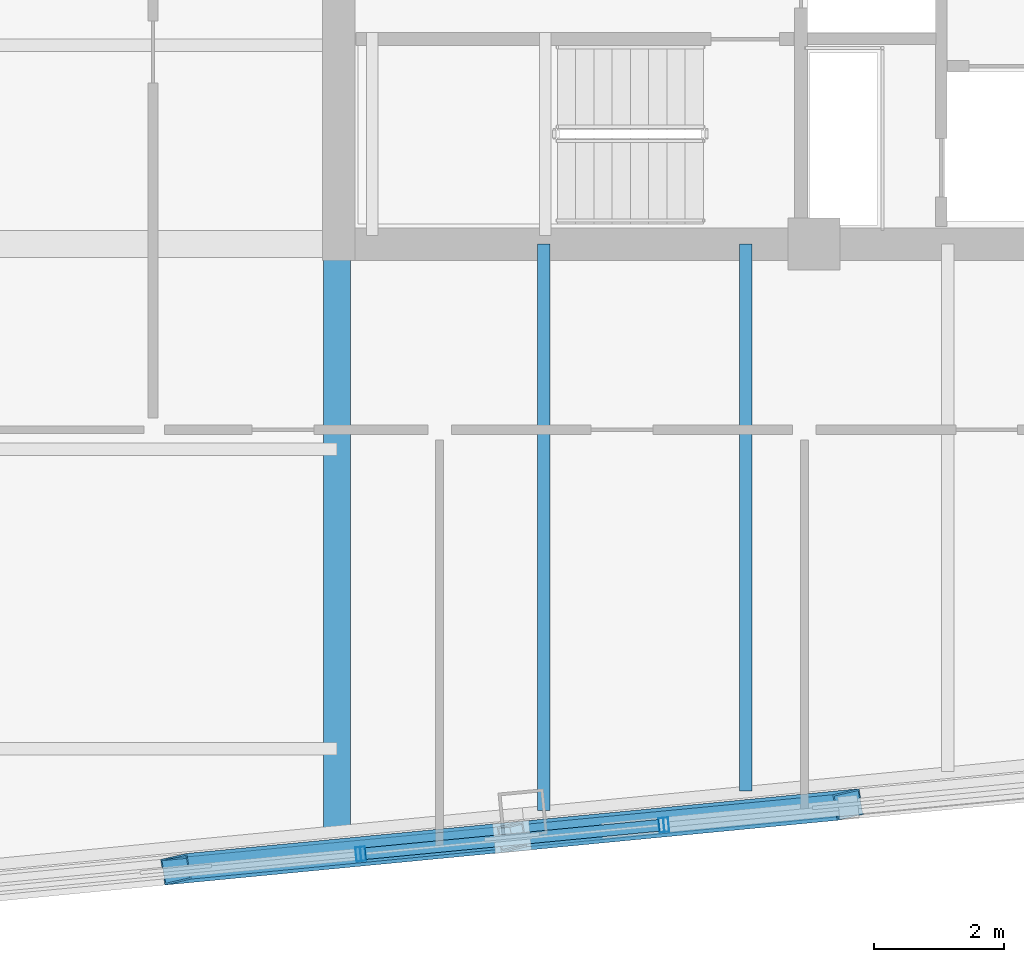
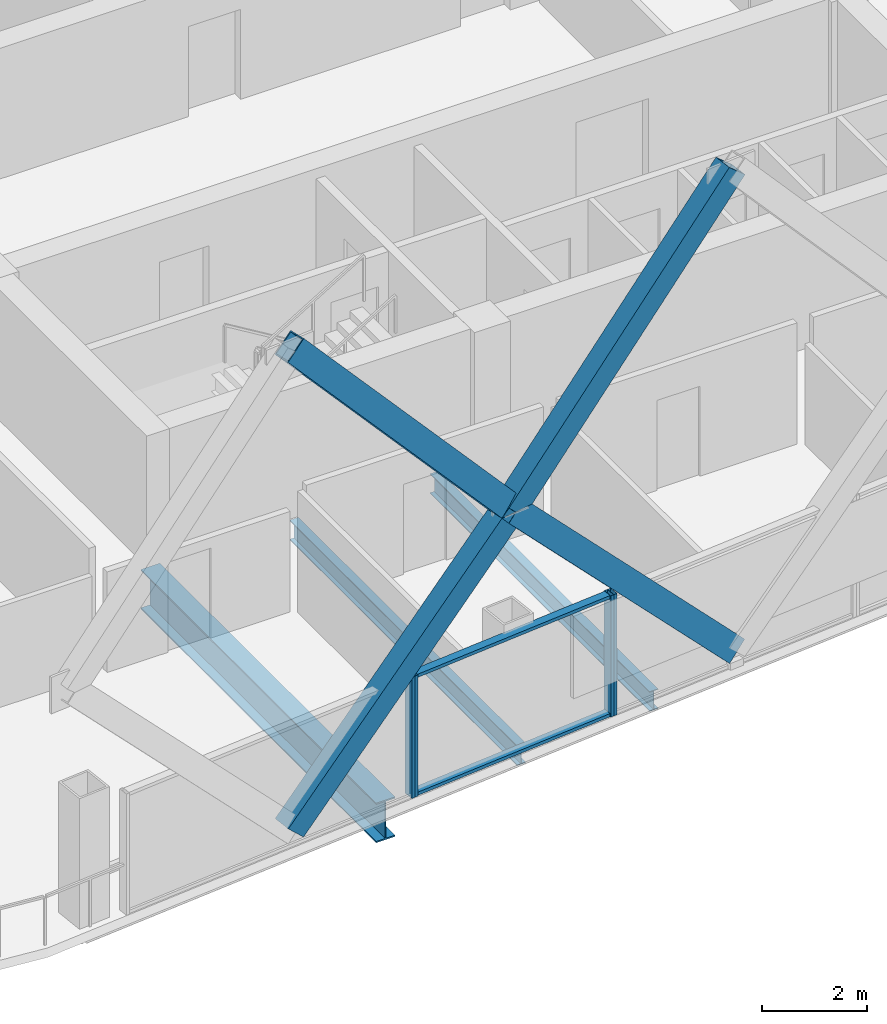
# One storey, part 5 of 34: 10 members, 3 beams, 3 elements without a shape of their own.
"""IFC4 building model written with IfcOpenShell, lengths in metres."""

import ifcopenshell
import ifcopenshell.guid

model = None  # the IFC model being written
_history = None  # IfcOwnerHistory: only IFC2X3 demands one
_inside = {}  # id of a spatial element -> (the spatial element, [elements in it])
_under = {}  # id of a project, library or spatial element -> (it, [spatial elements below it])
_declared = {}  # id of a project -> (the project, [libraries it declares])
_typed = {}  # id of a type object -> (the type object, [elements of that type])
_made_of = {}  # id of a material, layer set ... -> (it, [elements and type objects made of it])


def new_model(schema):
    """Start an empty IFC model of exactly this schema.

    Asked for "IFC4X3", IfcOpenShell would pick the latest addendum, in which some entities
    have other attributes; the version numbers below select the first issue.
    IFC2X3 requires an IfcOwnerHistory on every rooted entity: one is made here for all.
    """
    global model, _history
    if schema == "IFC4X3":
        model = ifcopenshell.file(schema_version=(4, 3, 0, 0))
    else:
        model = ifcopenshell.file(schema=schema)
    _inside.clear()
    _under.clear()
    _declared.clear()
    _typed.clear()
    _made_of.clear()
    _history = None
    if model.schema == "IFC2X3":
        org = make("IfcOrganization", Name="unknown")
        user = make(
            "IfcPersonAndOrganization",
            ThePerson=make("IfcPerson", FamilyName="unknown"),
            TheOrganization=org,
        )
        app = make(
            "IfcApplication",
            ApplicationDeveloper=org,
            Version="unknown",
            ApplicationFullName="unknown",
            ApplicationIdentifier="unknown",
        )
        _history = make(
            "IfcOwnerHistory",
            OwningUser=user,
            OwningApplication=app,
            ChangeAction="ADDED",
            CreationDate=0,
        )
    return model


def make(cls, **values):
    """One entity of the class cls with the attributes given. An attribute that is None is left unset."""
    return model.create_entity(
        cls, **{name: value for name, value in values.items() if value is not None}
    )


def rooted(cls, **values):
    """An entity with a GlobalId (a new one), such as an element, a storey or a relation."""
    return make(cls, GlobalId=ifcopenshell.guid.new(), OwnerHistory=_history, **values)


def si_unit(unit_type, name, prefix=None):
    """IfcSIUnit, for example si_unit("LENGTHUNIT", "METRE", prefix="MILLI")."""
    return make("IfcSIUnit", UnitType=unit_type, Prefix=prefix, Name=name)


def assignment(units):
    """IfcUnitAssignment: the units of a project."""
    return None if units is None else make("IfcUnitAssignment", Units=units)


def point(xyz):
    """IfcCartesianPoint."""
    return None if xyz is None else make("IfcCartesianPoint", Coordinates=xyz)


def direction(xyz):
    """IfcDirection."""
    return None if xyz is None else make("IfcDirection", DirectionRatios=xyz)


def frame(location, z_axis=None, x_axis=None):
    """IfcAxis2Placement3D, a coordinate frame: its origin and axes. An axis left out is left unset."""
    return make(
        "IfcAxis2Placement3D",
        Location=point(location),
        Axis=direction(z_axis),
        RefDirection=direction(x_axis),
    )


def frame_2d(location, x_axis=None):
    """IfcAxis2Placement2D, a coordinate frame in the plane: its origin and x axis."""
    return make(
        "IfcAxis2Placement2D", Location=point(location), RefDirection=direction(x_axis)
    )


def origin():
    """The frame at (0, 0, 0) with its axes left unset."""
    return frame((0.0, 0.0, 0.0))


def origin_2d():
    """The frame at (0, 0) in the plane with its x axis left unset."""
    return frame_2d((0.0, 0.0))


def place(relative_to, where):
    """IfcLocalPlacement: puts the frame where relative to a parent placement (None: the world)."""
    return make(
        "IfcLocalPlacement", PlacementRelTo=relative_to, RelativePlacement=where
    )


def context(
    kind, dimensions, precision=None, world=None, true_north=None, identifier=None
):
    """IfcGeometricRepresentationContext, for example the 3D "Model" context."""
    return make(
        "IfcGeometricRepresentationContext",
        ContextIdentifier=identifier,
        ContextType=kind,
        CoordinateSpaceDimension=dimensions,
        Precision=precision,
        WorldCoordinateSystem=world,
        TrueNorth=true_north,
    )


def subcontext(parent, identifier, kind, view, scale=None):
    """IfcGeometricRepresentationSubContext, for example "Body" below "Model"."""
    return make(
        "IfcGeometricRepresentationSubContext",
        ContextIdentifier=identifier,
        ContextType=kind,
        ParentContext=parent,
        TargetScale=scale,
        TargetView=view,
    )


def project(units=None, contexts=None):
    """IfcProject with its units and contexts."""
    return rooted(
        "IfcProject",
        Name="project",
        RepresentationContexts=contexts,
        UnitsInContext=assignment(units),
    )


def spatial(cls, under=None, at=None, **own):
    """A site, building, storey or space (cls), placed at a placement, below another one or the project."""
    s = rooted(cls, ObjectPlacement=at, **own)
    if under is not None:
        _under.setdefault(under.id(), (under, []))[1].append(s)
    return s


def profile(cls, at=None, kind="AREA", **sizes):
    """A parametric profile (cls). Its sizes go by their IFC names, for example OverallWidth=200.0."""
    return make(cls, ProfileType=kind, Position=at, **sizes)


def hollow_rectangle(**sizes):
    """IfcRectangleHollowProfileDef."""
    return profile("IfcRectangleHollowProfileDef", **sizes)


def i_section(**sizes):
    """IfcIShapeProfileDef."""
    return profile("IfcIShapeProfileDef", **sizes)


def extrude(swept, where, along, depth):
    """IfcExtrudedAreaSolid: the profile swept, set in the frame where, extruded along a direction by depth."""
    return make(
        "IfcExtrudedAreaSolid",
        SweptArea=swept,
        Position=where,
        ExtrudedDirection=direction(along),
        Depth=depth,
    )


def shape(context_of_items, identifier, shape_type, items):
    """IfcShapeRepresentation: the items that make up one representation, for example the "Body"."""
    return make(
        "IfcShapeRepresentation",
        ContextOfItems=context_of_items,
        RepresentationIdentifier=identifier,
        RepresentationType=shape_type,
        Items=items,
    )


def material(Name=None, Category=None):
    """IfcMaterial."""
    return make("IfcMaterial", Name=Name, Category=Category)


def layer(
    of_material, thickness, ventilated=None, Name=None, Category=None, Priority=None
):
    """IfcMaterialLayer: one layer of a wall or slab, of a material (None: an air gap)."""
    return make(
        "IfcMaterialLayer",
        Material=of_material,
        LayerThickness=thickness,
        IsVentilated=ventilated,
        Name=Name,
        Category=Category,
        Priority=Priority,
    )


def layer_set(layers, Name=None):
    """IfcMaterialLayerSet."""
    return make("IfcMaterialLayerSet", MaterialLayers=layers, LayerSetName=Name)


def material_profile(
    of_material, cross_section, Name=None, Category=None, Priority=None
):
    """IfcMaterialProfile: a cross section and its material."""
    return make(
        "IfcMaterialProfile",
        Name=Name,
        Material=of_material,
        Profile=cross_section,
        Priority=Priority,
        Category=Category,
    )


def profile_set(profiles, Name=None, composite=None):
    """IfcMaterialProfileSet."""
    return make(
        "IfcMaterialProfileSet",
        Name=Name,
        MaterialProfiles=profiles,
        CompositeProfile=composite,
    )


def made_of(thing, what):
    """Note that an element or type object is made of a material, layer set ...; save() writes the relation."""
    if what is not None:
        _made_of.setdefault(what.id(), (what, []))[1].append(thing)
    return thing


def type_object(cls, material=None, **own):
    """A type object (cls), such as IfcWallType, which elements share."""
    return made_of(rooted(cls, **own), material)


def element(
    cls,
    number,
    at=None,
    inside=None,
    cuts=None,
    type_object=None,
    material=None,
    context=None,
    identifier="Body",
    shape_type=None,
    held_by="IfcProductDefinitionShape",
    body=None,
    shapes=None,
    **own,
):
    """One element of the class cls, such as IfcWall. Its Tag is "e" and its number.

    at: its placement. inside: the storey or other place that contains it. cuts: it is an
    opening in that element (IfcRelVoidsElement). A single representation is given by context,
    identifier, shape_type and body (its items); several are given by shapes. held_by: the class
    of the entity that holds the representations. save() writes the other relations.
    """
    e = rooted(cls, Tag="e%d" % number, ObjectPlacement=at, **own)
    if body is not None:
        shapes = [shape(context, identifier, shape_type, body)]
    if shapes is not None:
        e.Representation = make(held_by, Representations=shapes)
    if inside is not None:
        _inside.setdefault(inside.id(), (inside, []))[1].append(e)
    if cuts is not None:
        rooted(
            "IfcRelVoidsElement", RelatingBuildingElement=cuts, RelatedOpeningElement=e
        )
    if type_object is not None:
        _typed.setdefault(type_object.id(), (type_object, []))[1].append(e)
    return made_of(e, material)


def aggregate(whole, parts):
    """IfcRelAggregates: a whole, such as a stair, and the parts it consists of."""
    return rooted("IfcRelAggregates", RelatingObject=whole, RelatedObjects=parts)


def save(model, path):
    """Write the relations noted so far, then the file.

    IfcRelAggregates (storeys below a building ...), IfcRelContainedInSpatialStructure (elements
    in a storey), IfcRelDefinesByType, IfcRelAssociatesMaterial and IfcRelDeclares: one each for
    every whole, place, type object, material and project.
    """
    for whole, parts in _under.values():
        aggregate(whole, parts)
    for where, things in _inside.values():
        rooted(
            "IfcRelContainedInSpatialStructure",
            RelatedElements=things,
            RelatingStructure=where,
        )
    for kind, things in _typed.values():
        rooted("IfcRelDefinesByType", RelatedObjects=things, RelatingType=kind)
    for what, things in _made_of.values():
        rooted("IfcRelAssociatesMaterial", RelatedObjects=things, RelatingMaterial=what)
    for by, libraries in _declared.values():
        rooted("IfcRelDeclares", RelatingContext=by, RelatedDefinitions=libraries)
    model.write(path)


model = new_model("IFC4")

# Units and contexts
model_context = context("Model", 3, precision=1e-05, world=origin(), true_north=direction((0.0, 1.0)))
body_context = subcontext(model_context, "Body", "Model", "MODEL_VIEW")
ifc_project = project(units=[si_unit("LENGTHUNIT", "METRE"), si_unit("AREAUNIT", "SQUARE_METRE"), si_unit("VOLUMEUNIT", "CUBIC_METRE"), si_unit("PLANEANGLEUNIT", "RADIAN"), si_unit("MASSUNIT", "GRAM", prefix="KILO")], contexts=[model_context])

# Site, building, storey
site_placement = place(None, origin())
site = spatial("IfcSite", under=ifc_project, at=site_placement, CompositionType="ELEMENT")
building_placement = place(site_placement, origin())
building = spatial("IfcBuilding", under=site, at=building_placement, Name="Qhalaya Broadcast Tower", CompositionType="ELEMENT")
storey_placement = place(building_placement, frame((0.0, 0.0, 168.35009765625)))
storey = spatial("IfcBuildingStorey", under=building, at=storey_placement, Name="L49", CompositionType="ELEMENT", Elevation=168.35009765625)

# Beams
ifc_material_1 = material(Name="Structural Steel ASTM A992 Grade 50", Category="steel")
ifc_material_profile_1 = material_profile(ifc_material_1, i_section(OverallWidth=0.19189453125, OverallDepth=0.462890625, WebThickness=0.010498046875, FlangeThickness=0.017578125, at=origin_2d()), Name="W18X60")
ifc_profile_set_1 = profile_set([ifc_material_profile_1], Name="Structural Steel ASTM A992 Grade 50")
beam_type_1 = type_object("IfcBeamType", Name="Composite Floor Joist J03", PredefinedType="JOIST", material=ifc_profile_set_1)
beam_1_placement = place(storey_placement, frame((-6.199951171875, -17.441650390625, -0.45166015625), z_axis=(0.0, 1.0, 0.0), x_axis=(-1.0, 0.0, 0.0)))
element("IfcBeam", 1, at=beam_1_placement, inside=storey, type_object=beam_type_1, Name="L49 J03 L49-JNS1-1", PredefinedType="JOIST", context=body_context, shape_type="SweptSolid", body=[
    extrude(i_section(OverallWidth=0.19189453125, OverallDepth=0.462890625, WebThickness=0.010498046875, FlangeThickness=0.017578125, at=origin_2d()), origin(), (0.0, 0.0, 1.0), 8.691650390625),
])
beam_2_placement = place(storey_placement, frame((-3.10009765625, -17.14306640625, -0.45166015625), z_axis=(0.0, 1.0, 0.0), x_axis=(-1.0, 0.0, 0.0)))
element("IfcBeam", 2, at=beam_2_placement, inside=storey, type_object=beam_type_1, Name="L49 J03 L49-JNS2-1", PredefinedType="JOIST", context=body_context, shape_type="SweptSolid", body=[
    extrude(i_section(OverallWidth=0.19189453125, OverallDepth=0.462890625, WebThickness=0.010498046875, FlangeThickness=0.017578125, at=origin_2d()), origin(), (0.0, 0.0, 1.0), 8.39306640625),
])

# Members
ifc_material_2 = material(Name="Structural Steel ASTM A572 Grade 50", Category="steel")
ifc_material_profile_2 = material_profile(ifc_material_2, hollow_rectangle(XDim=0.39990234375, YDim=0.550048828125, WallThickness=0.02490234375, at=origin_2d()), Name="BOX 400x550x25")
ifc_profile_set_2 = profile_set([ifc_material_profile_2], Name="Structural Steel ASTM A572 Grade 50")
member_type_1 = type_object("IfcMemberType", Name="Exoskeleton Diamond Diagonal Mid-High EX3", PredefinedType="BRACE", material=ifc_profile_set_2)
member_1_placement = place(storey_placement, frame((-11.84716796875, -18.346923828125, 0.35986328125), z_axis=(0.690615647814, 0.066502760768, 0.72015790616), x_axis=(-0.164116501784, 0.984196976573, 0.066498760488)))
element("IfcMember", 3, at=member_1_placement, inside=storey, type_object=member_type_1, Name="B4 Exoskeleton Diamond Brace S1-D2", PredefinedType="BRACE", context=body_context, shape_type="SweptSolid", body=[
    extrude(hollow_rectangle(XDim=0.39990234375, YDim=0.550048828125, WallThickness=0.02490234375, at=origin_2d()), origin(), (0.0, 0.0, 1.0), 7.470703125),
])
member_2_placement = place(storey_placement, frame((-6.687744140625, -17.85009765625, 5.739990234375), z_axis=(-0.659492058015, -0.063505717979, 0.749024198007), x_axis=(0.166870474322, -0.983931783079, 0.063501897979)))
element("IfcMember", 4, at=member_2_placement, inside=storey, type_object=member_type_1, Name="B4 Exoskeleton Diamond Brace S1-D4", PredefinedType="BRACE", context=body_context, shape_type="SweptSolid", body=[
    extrude(hollow_rectangle(XDim=0.39990234375, YDim=0.550048828125, WallThickness=0.02490234375, at=origin_2d()), origin(), (0.0, 0.0, 1.0), 7.8232421875),
])
member_3_placement = place(storey_placement, frame((-1.5283203125, -17.353515625, 0.35986328125), z_axis=(-0.690617148349, -0.066470225701, 0.720159470883), x_axis=(0.164070506985, -0.984204655696, 0.066498604821)))
element("IfcMember", 5, at=member_3_placement, inside=storey, type_object=member_type_1, Name="B4 Exoskeleton Diamond Brace S2-D1", PredefinedType="BRACE", context=body_context, shape_type="SweptSolid", body=[
    extrude(hollow_rectangle(XDim=0.39990234375, YDim=0.550048828125, WallThickness=0.02490234375, at=origin_2d()), origin(), (0.0, 0.0, 1.0), 7.470703125),
])
member_4_placement = place(storey_placement, frame((-6.687744140625, -17.85009765625, 5.739990234375), z_axis=(0.659493364683, 0.063474637002, 0.749025682067), x_axis=(-0.166824484258, 0.983939592063, 0.063501737171)))
element("IfcMember", 6, at=member_4_placement, inside=storey, type_object=member_type_1, Name="B4 Exoskeleton Diamond Brace S2-D3", PredefinedType="BRACE", context=body_context, shape_type="SweptSolid", body=[
    extrude(hollow_rectangle(XDim=0.39990234375, YDim=0.550048828125, WallThickness=0.02490234375, at=origin_2d()), origin(), (0.0, 0.0, 1.0), 7.8232421875),
])

# Beam
ifc_material_profile_3 = material_profile(ifc_material_1, i_section(OverallWidth=0.4189453125, OverallDepth=0.927001953125, WebThickness=0.019287109375, FlangeThickness=0.031982421875, at=origin_2d()), Name="W36X231")
ifc_profile_set_3 = profile_set([ifc_material_profile_3], Name="Structural Steel ASTM A992 Grade 50")
beam_type_2 = type_object("IfcBeamType", Name="Mid Block Primary Girder PG3", PredefinedType="USERDEFINED", material=ifc_profile_set_3)
beam_3_placement = place(storey_placement, frame((-9.375, -17.747314453125, -0.68359375), z_axis=(0.0, 1.0, 0.0), x_axis=(-1.0, 0.0, 0.0)))
element("IfcBeam", 7, at=beam_3_placement, inside=storey, type_object=beam_type_2, Name="L49 PG3 L49-PGXS1-1", ObjectType="GIRDER", PredefinedType="USERDEFINED", context=body_context, shape_type="SweptSolid", body=[
    extrude(i_section(OverallWidth=0.4189453125, OverallDepth=0.927001953125, WebThickness=0.019287109375, FlangeThickness=0.031982421875, at=origin_2d()), origin(), (0.0, 0.0, 1.0), 8.997314453125),
])

# Curtain wall, member
ifc_material_3 = material(Name="Fired Architectural Terracotta", Category="masonry")
ifc_layer_1 = layer(ifc_material_3, 0.219970703125, Name="Fired Architectural Terracotta")
ifc_layer_set_1 = layer_set([ifc_layer_1], Name="Fired Architectural Terracotta")
curtain_wall_type_1 = type_object("IfcCurtainWallType", Name="Block-Cap Unitised Terracotta Spandrel Wall CW-07", PredefinedType="NOTDEFINED", material=ifc_layer_set_1)
curtain_wall_1_placement = place(storey_placement, origin())
curtain_wall_1 = element("IfcCurtainWall", 8, at=curtain_wall_1_placement, inside=storey, type_object=curtain_wall_type_1, Name="L49 Unitised Curtain Wall L49-CW-S1", PredefinedType="NOTDEFINED")
ifc_material_4 = material(Name="Anodised Aluminium 6063-T6", Category="aluminium")
ifc_material_profile_4 = material_profile(ifc_material_4, hollow_rectangle(XDim=0.074951171875, YDim=0.219970703125, WallThickness=0.00390625, at=origin_2d()), Name="ALU-MUL 75x220x4")
ifc_profile_set_4 = profile_set([ifc_material_profile_4], Name="Anodised Aluminium 6063-T6")
member_type_2 = type_object("IfcMemberType", Name="Unitised Curtain-Wall Mullion M01", PredefinedType="MULLION", material=ifc_profile_set_4)
member_5_placement = place(storey_placement, frame((-9.047119140625, -18.11767578125, 0.0), z_axis=(0.0, 0.0, 1.0), x_axis=(0.99539669829, 0.095840560477, 0.0)))
member_5 = element("IfcMember", 9, at=member_5_placement, type_object=member_type_2, Name="CW-07 mullion 2", PredefinedType="MULLION", context=body_context, shape_type="SweptSolid", body=[
    extrude(hollow_rectangle(XDim=0.074951171875, YDim=0.219970703125, WallThickness=0.00390625, at=origin_2d()), origin(), (0.0, 0.0, 1.0), 2.829833984375),
])
aggregate(curtain_wall_1, [member_5])

# Curtain wall, members
ifc_material_5 = material(Name="Solar-Control Low-E Triple Glazing", Category="glass")
ifc_layer_2 = layer(ifc_material_5, 0.219970703125, Name="Solar-Control Low-E Triple Glazing")
ifc_layer_set_2 = layer_set([ifc_layer_2], Name="Solar-Control Low-E Triple Glazing")
curtain_wall_type_2 = type_object("IfcCurtainWallType", Name="Even-Block 4-Storey Double-Module Curtain Wall CW-03", PredefinedType="NOTDEFINED", material=ifc_layer_set_2)
curtain_wall_2_placement = place(storey_placement, origin())
curtain_wall_2 = element("IfcCurtainWall", 10, at=curtain_wall_2_placement, inside=storey, type_object=curtain_wall_type_2, Name="L49 Unitised Curtain Wall L49-CW-S2", PredefinedType="NOTDEFINED")
member_6_placement = place(storey_placement, frame((-8.972412109375, -18.1103515625, 0.0), z_axis=(0.0, 0.0, 1.0), x_axis=(0.995395888038, 0.095848975357, 0.0)))
member_6 = element("IfcMember", 11, at=member_6_placement, type_object=member_type_2, Name="CW-03 mullion 1", PredefinedType="MULLION", context=body_context, shape_type="SweptSolid", body=[
    extrude(hollow_rectangle(XDim=0.074951171875, YDim=0.219970703125, WallThickness=0.00390625, at=origin_2d()), origin(), (0.0, 0.0, 1.0), 2.829833984375),
])
member_7_placement = place(storey_placement, frame((-4.39453125, -17.669677734375, 0.0), z_axis=(0.0, 0.0, 1.0), x_axis=(0.995395888038, 0.095848975357, 0.0)))
member_7 = element("IfcMember", 12, at=member_7_placement, type_object=member_type_2, Name="CW-03 mullion 2", PredefinedType="MULLION", context=body_context, shape_type="SweptSolid", body=[
    extrude(hollow_rectangle(XDim=0.074951171875, YDim=0.219970703125, WallThickness=0.00390625, at=origin_2d()), origin(), (0.0, 0.0, 1.0), 2.829833984375),
])

# Curtain wall, member
curtain_wall_3_placement = place(storey_placement, origin())
curtain_wall_3 = element("IfcCurtainWall", 13, at=curtain_wall_3_placement, inside=storey, type_object=curtain_wall_type_1, Name="L49 Unitised Curtain Wall L49-CW-S3", PredefinedType="NOTDEFINED")
member_8_placement = place(storey_placement, frame((-4.31982421875, -17.662353515625, 0.0), z_axis=(0.0, 0.0, 1.0), x_axis=(0.995395435525, 0.095853674613, 0.0)))
member_8 = element("IfcMember", 14, at=member_8_placement, type_object=member_type_2, Name="CW-07 mullion 1", PredefinedType="MULLION", context=body_context, shape_type="SweptSolid", body=[
    extrude(hollow_rectangle(XDim=0.074951171875, YDim=0.219970703125, WallThickness=0.00390625, at=origin_2d()), origin(), (0.0, 0.0, 1.0), 2.829833984375),
])
aggregate(curtain_wall_3, [member_8])

# Member
ifc_material_profile_5 = material_profile(ifc_material_4, hollow_rectangle(XDim=0.074951171875, YDim=0.179931640625, WallThickness=0.00390625, at=origin_2d()), Name="ALU-TRN 75x180x4")
ifc_profile_set_5 = profile_set([ifc_material_profile_5], Name="Anodised Aluminium 6063-T6")
member_type_3 = type_object("IfcMemberType", Name="Unitised Curtain-Wall Transom T01", PredefinedType="USERDEFINED", material=ifc_profile_set_5)
member_9_placement = place(storey_placement, frame((-8.93505859375, -18.106689453125, 0.037353515625), z_axis=(0.995396463484, 0.095842999141, 0.0), x_axis=(0.0, 0.0, 1.0)))
member_9 = element("IfcMember", 15, at=member_9_placement, type_object=member_type_3, Name="CW-03 transom 1.1", ObjectType="TRANSOM", PredefinedType="USERDEFINED", context=body_context, shape_type="SweptSolid", body=[
    extrude(hollow_rectangle(XDim=0.074951171875, YDim=0.179931640625, WallThickness=0.00390625, at=origin_2d()), origin(), (0.0, 0.0, 1.0), 4.52392578125),
])

member_10_placement = place(storey_placement, frame((-8.93505859375, -18.106689453125, 2.79248046875), z_axis=(0.995396463484, 0.095842999141, 0.0), x_axis=(0.0, 0.0, 1.0)))
member_10 = element("IfcMember", 16, at=member_10_placement, type_object=member_type_3, Name="CW-03 transom 1.2", ObjectType="TRANSOM", PredefinedType="USERDEFINED", context=body_context, shape_type="SweptSolid", body=[
    extrude(hollow_rectangle(XDim=0.074951171875, YDim=0.179931640625, WallThickness=0.00390625, at=origin_2d()), origin(), (0.0, 0.0, 1.0), 4.52392578125),
])

aggregate(curtain_wall_2, [member_6, member_7, member_9, member_10])

save(model, "model.ifc")
